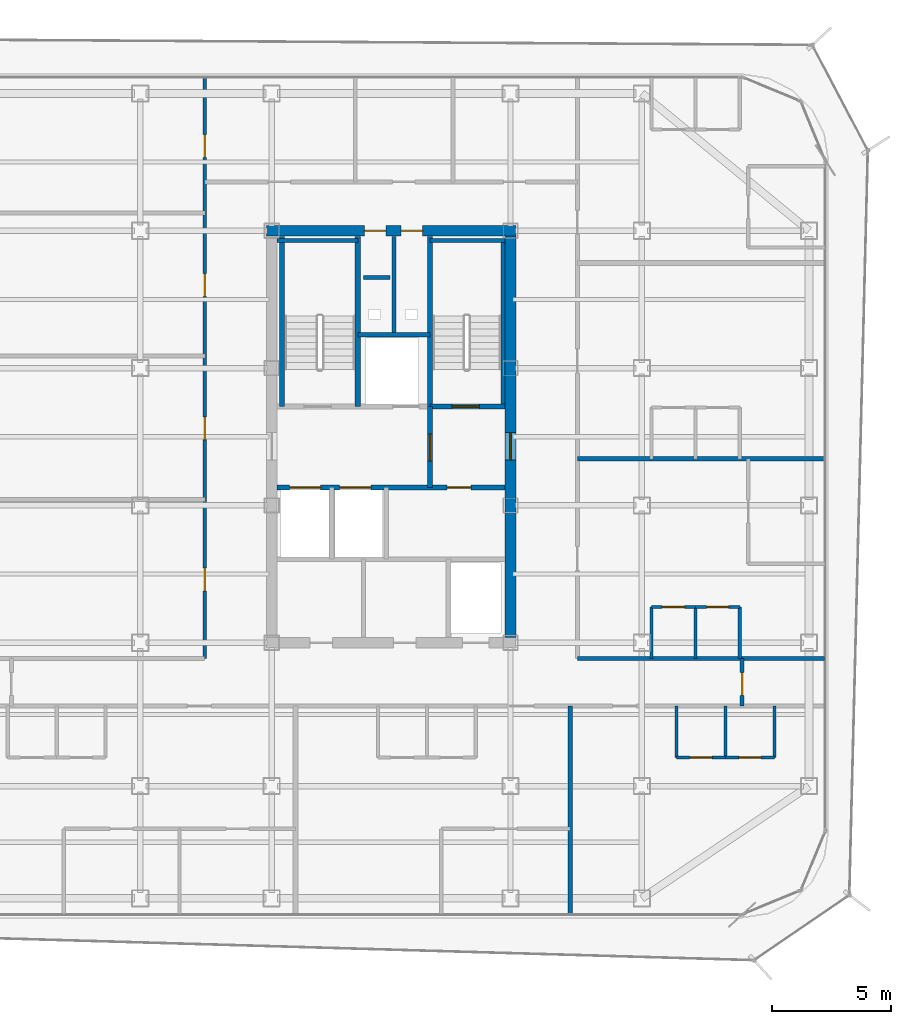
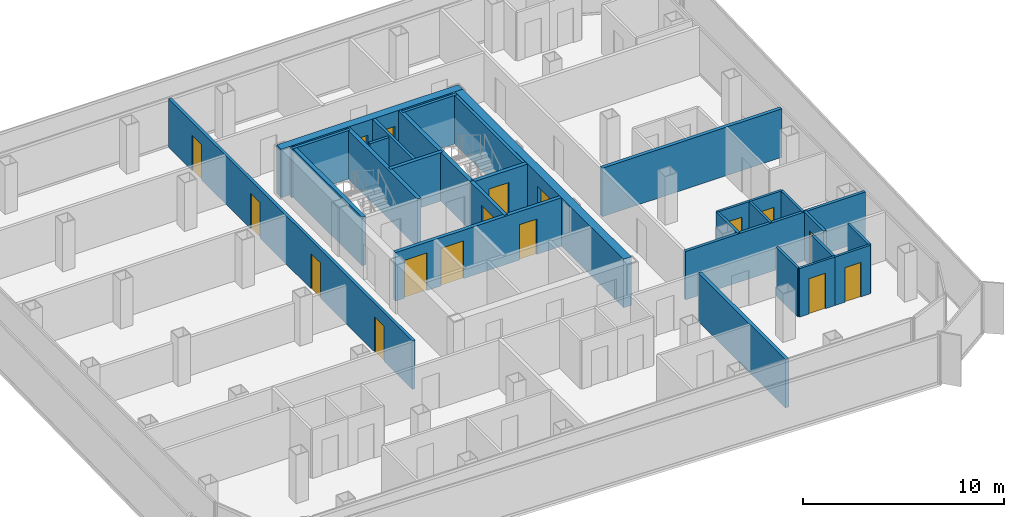
# One storey, part 11 of 15: 30 walls, 17 doors, 17 openings.
"""IFC4 building model written with IfcOpenShell, lengths in metres."""

from ifc_helpers import new_model, si_unit, direction, frame, frame_2d, origin, place, context, subcontext, project, spatial, rectangle, extrude, material, layer, layer_set, type_object, element, fill, save


model = new_model("IFC4")

# Units and contexts
model_context = context("Model", 3, precision=1e-05, world=origin(), true_north=direction((0.0, 1.0)))
body_context = subcontext(model_context, "Body", "Model", "MODEL_VIEW")
ifc_project = project(units=[si_unit("LENGTHUNIT", "METRE"), si_unit("AREAUNIT", "SQUARE_METRE"), si_unit("VOLUMEUNIT", "CUBIC_METRE"), si_unit("PLANEANGLEUNIT", "RADIAN"), si_unit("MASSUNIT", "GRAM", prefix="KILO")], contexts=[model_context])

# Site, building, storey
site_placement = place(None, origin())
site = spatial("IfcSite", under=ifc_project, at=site_placement, CompositionType="ELEMENT")
building_placement = place(site_placement, origin())
building = spatial("IfcBuilding", under=site, at=building_placement, Name="Kolveth Station Tower", CompositionType="ELEMENT")
storey_placement = place(building_placement, frame((0.0, 0.0, 202.800048828125)))
storey = spatial("IfcBuildingStorey", under=building, at=storey_placement, Name="L57", CompositionType="ELEMENT", Elevation=202.800048828125)

# Wall, openings, doors
ifc_material_1 = material(Name="Concrete C50/60", Category="concrete")
ifc_layer_1 = layer(ifc_material_1, 0.449951171875)
ifc_layer_set_1 = layer_set([ifc_layer_1], Name="Concrete C50/60")
wall_type_1 = type_object("IfcWallType", Name="Wall_CW-450", PredefinedType="SHEAR", material=ifc_layer_set_1)
wall_1_placement = place(storey_placement, frame((18.27490234375, 28.75, 0.0), z_axis=(0.0, 0.0, 1.0), x_axis=(1.0, 0.0, 0.0)))
wall_1 = element("IfcWall", 1, at=wall_1_placement, inside=storey, type_object=wall_type_1, Name="L57 Core RC Shear Wall N", PredefinedType="SHEAR", context=body_context, shape_type="SweptSolid", body=[
    extrude(rectangle(XDim=10.4501953125, YDim=0.449951171875, at=frame_2d((5.22509765625, 0.0))), origin(), (0.0, 0.0, 1.0), 2.949951171875),
])
opening_1_placement = place(wall_1_placement, frame((4.10498046875, 0.0, 0.0)))
opening_1 = element("IfcOpeningElement", 2, at=opening_1_placement, cuts=wall_1, Name="Opening RD1", PredefinedType="OPENING", context=body_context, shape_type="SweptSolid", body=[
    extrude(rectangle(XDim=0.89990234375, YDim=2.050048828125, at=frame_2d((0.449951171875, 1.02490234375))), frame((0.0, 0.23486328125, 0.0), z_axis=(0.0, -1.0, 0.0), x_axis=(1.0, 0.0, 0.0)), (0.0, 0.0, 1.0), 0.469970703125),
])
opening_2_placement = place(wall_1_placement, frame((5.64501953125, 0.0, 0.0)))
opening_2 = element("IfcOpeningElement", 3, at=opening_2_placement, cuts=wall_1, Name="Opening RD1", PredefinedType="OPENING", context=body_context, shape_type="SweptSolid", body=[
    extrude(rectangle(XDim=0.89990234375, YDim=2.050048828125, at=frame_2d((0.449951171875, 1.02490234375))), frame((0.0, 0.23486328125, 0.0), z_axis=(0.0, -1.0, 0.0), x_axis=(1.0, 0.0, 0.0)), (0.0, 0.0, 1.0), 0.469970703125),
])
ifc_material_2 = material(Name="Fire-rated Steel S355 riser access leaf", Category="steel")
door_type_1 = type_object("IfcDoorType", Name="Door_RD1", OperationType="NOTDEFINED", PredefinedType="DOOR", material=ifc_material_2)
door_1_placement = place(opening_1_placement, origin())
door_1 = element("IfcDoor", 4, at=door_1_placement, inside=storey, type_object=door_type_1, Name="L57 Electrical Riser Access Door", OperationType="SINGLE_SWING_RIGHT", OverallHeight=2.050048828125, OverallWidth=0.89990234375, PredefinedType="DOOR", context=body_context, shape_type="SweptSolid", body=[
    extrude(rectangle(XDim=0.89990234375, YDim=2.050048828125, at=frame_2d((0.449951171875, 1.02490234375))), frame((0.0, 0.02490234375, 0.0), z_axis=(0.0, -1.0, 0.0), x_axis=(1.0, 0.0, 0.0)), (0.0, 0.0, 1.0), 0.050048828125),
])
fill(opening_1, door_1)
door_2_placement = place(opening_2_placement, origin())
door_2 = element("IfcDoor", 5, at=door_2_placement, inside=storey, type_object=door_type_1, Name="L57 Smoke Duct Access Door", OperationType="SINGLE_SWING_LEFT", OverallHeight=2.050048828125, OverallWidth=0.89990234375, PredefinedType="DOOR", context=body_context, shape_type="SweptSolid", body=[
    extrude(rectangle(XDim=0.89990234375, YDim=2.050048828125, at=frame_2d((0.449951171875, 1.02490234375))), frame((0.0, 0.02490234375, 0.0), z_axis=(0.0, -1.0, 0.0), x_axis=(1.0, 0.0, 0.0)), (0.0, 0.0, 1.0), 0.050048828125),
])
fill(opening_2, door_2)

# Wall, opening, door
wall_2_placement = place(storey_placement, frame((28.5, 11.72509765625, 0.0), z_axis=(0.0, 0.0, 1.0), x_axis=(0.0, 1.0, 0.0)))
wall_2 = element("IfcWall", 6, at=wall_2_placement, inside=storey, type_object=wall_type_1, Name="L57 Core RC Shear Wall E", PredefinedType="SHEAR", context=body_context, shape_type="SweptSolid", body=[
    extrude(rectangle(XDim=16.7998046875, YDim=0.449951171875, at=frame_2d((8.39990234375, 0.0))), origin(), (0.0, 0.0, 1.0), 2.949951171875),
])
opening_3_placement = place(wall_2_placement, frame((7.425048828125, 0.0, 0.0)))
opening_3 = element("IfcOpeningElement", 7, at=opening_3_placement, cuts=wall_2, Name="Opening FD1", PredefinedType="OPENING", context=body_context, shape_type="SweptSolid", body=[
    extrude(rectangle(XDim=1.14990234375, YDim=2.199951171875, at=frame_2d((0.574951171875, 1.10009765625))), frame((0.0, 0.23486328125, 0.0), z_axis=(0.0, -1.0, 0.0), x_axis=(1.0, 0.0, 0.0)), (0.0, 0.0, 1.0), 0.469970703125),
])
ifc_material_3 = material(Name="Fire-rated Steel S355 leaf and frame", Category="steel")
door_type_2 = type_object("IfcDoorType", Name="Door_FD1", OperationType="NOTDEFINED", PredefinedType="DOOR", material=ifc_material_3)
door_3_placement = place(opening_3_placement, origin())
door_3 = element("IfcDoor", 8, at=door_3_placement, inside=storey, type_object=door_type_2, Name="L57 East Corridor to Stair Lobby Door", OperationType="SINGLE_SWING_LEFT", OverallHeight=2.199951171875, OverallWidth=1.14990234375, PredefinedType="DOOR", context=body_context, shape_type="SweptSolid", body=[
    extrude(rectangle(XDim=1.14990234375, YDim=2.199951171875, at=frame_2d((0.574951171875, 1.10009765625))), frame((0.0, 0.02490234375, 0.0), z_axis=(0.0, -1.0, 0.0), x_axis=(1.0, 0.0, 0.0)), (0.0, 0.0, 1.0), 0.050048828125),
])
fill(opening_3, door_3)

ifc_material_4 = material(Name="Moisture-resistant gypsum partition")
ifc_layer_2 = layer(ifc_material_4, 0.135009765625)
ifc_layer_set_2 = layer_set([ifc_layer_2], Name="Moisture-resistant gypsum partition")
wall_type_2 = type_object("IfcWallType", Name="Wall_IW-135", PredefinedType="PARTITIONING", material=ifc_layer_set_2)
wall_3_placement = place(storey_placement, frame((35.449951171875, 6.699951171875, 0.0), z_axis=(0.0, 0.0, 1.0), x_axis=(1.0, 0.0, 0.0)))
wall_3 = element("IfcWall", 9, at=wall_3_placement, inside=storey, type_object=wall_type_2, Name="L57 Partition Wall WL-L57-A3-IBHK", PredefinedType="PARTITIONING", context=body_context, shape_type="SweptSolid", body=[
    extrude(rectangle(XDim=2.050048828125, YDim=0.135009765625, at=frame_2d((1.02490234375, 0.0))), origin(), (0.0, 0.0, 1.0), 2.949951171875),
])
opening_4_placement = place(wall_3_placement, frame((0.544921875, 0.0, 0.0)))
opening_4 = element("IfcOpeningElement", 10, at=opening_4_placement, cuts=wall_3, Name="Opening ID1", PredefinedType="OPENING", context=body_context, shape_type="SweptSolid", body=[
    extrude(rectangle(XDim=0.949951171875, YDim=2.14990234375, at=frame_2d((0.47509765625, 1.074951171875))), frame((0.0, 0.077392578125, 0.0), z_axis=(0.0, -1.0, 0.0), x_axis=(1.0, 0.0, 0.0)), (0.0, 0.0, 1.0), 0.155029296875),
])
ifc_material_5 = material(Name="Acoustic hardwood leaf and aluminium frame", Category="wood")
door_type_3 = type_object("IfcDoorType", Name="Door_ID1", OperationType="NOTDEFINED", PredefinedType="DOOR", material=ifc_material_5)
door_4_placement = place(opening_4_placement, origin())
door_4 = element("IfcDoor", 11, at=door_4_placement, inside=storey, type_object=door_type_3, Name="Flat L57-A3 Kitchen Door", OperationType="SINGLE_SWING_LEFT", OverallHeight=2.14990234375, OverallWidth=0.949951171875, PredefinedType="DOOR", context=body_context, shape_type="SweptSolid", body=[
    extrude(rectangle(XDim=0.949951171875, YDim=2.14990234375, at=frame_2d((0.47509765625, 1.074951171875))), frame((0.0, 0.02490234375, 0.0), z_axis=(0.0, -1.0, 0.0), x_axis=(1.0, 0.0, 0.0)), (0.0, 0.0, 1.0), 0.050048828125),
])
fill(opening_4, door_4)

wall_4_placement = place(storey_placement, frame((37.5, 6.699951171875, 0.0), z_axis=(0.0, 0.0, 1.0), x_axis=(1.0, 0.0, 0.0)))
wall_4 = element("IfcWall", 12, at=wall_4_placement, inside=storey, type_object=wall_type_2, Name="L57 Partition Wall WL-L57-A3-IBHB", PredefinedType="PARTITIONING", context=body_context, shape_type="SweptSolid", body=[
    extrude(rectangle(XDim=2.050048828125, YDim=0.135009765625, at=frame_2d((1.02490234375, 0.0))), origin(), (0.0, 0.0, 1.0), 2.949951171875),
])
opening_5_placement = place(wall_4_placement, frame((0.56494140625, 0.0, 0.0)))
opening_5 = element("IfcOpeningElement", 13, at=opening_5_placement, cuts=wall_4, Name="Opening ID2", PredefinedType="OPENING", context=body_context, shape_type="SweptSolid", body=[
    extrude(rectangle(XDim=0.919921875, YDim=2.10009765625, at=frame_2d((0.4599609375, 1.050048828125))), frame((0.0, 0.077392578125, 0.0), z_axis=(0.0, -1.0, 0.0), x_axis=(1.0, 0.0, 0.0)), (0.0, 0.0, 1.0), 0.155029296875),
])
ifc_material_6 = material(Name="Moisture-resistant hardwood leaf", Category="wood")
door_type_4 = type_object("IfcDoorType", Name="Door_ID2", OperationType="NOTDEFINED", PredefinedType="DOOR", material=ifc_material_6)
door_5_placement = place(opening_5_placement, origin())
door_5 = element("IfcDoor", 14, at=door_5_placement, inside=storey, type_object=door_type_4, Name="Flat L57-A3 Bathroom Door", OperationType="SINGLE_SWING_RIGHT", OverallHeight=2.10009765625, OverallWidth=0.919921875, PredefinedType="DOOR", context=body_context, shape_type="SweptSolid", body=[
    extrude(rectangle(XDim=0.919921875, YDim=2.10009765625, at=frame_2d((0.4599609375, 1.050048828125))), frame((0.0, 0.02490234375, 0.0), z_axis=(0.0, -1.0, 0.0), x_axis=(1.0, 0.0, 0.0)), (0.0, 0.0, 1.0), 0.050048828125),
])
fill(opening_5, door_5)

# Walls
for number, where, z_axis, x_axis, name in (
    (15, (35.449951171875, 6.699951171875, 0.0), (0.0, 0.0, 1.0), (0.0, 1.0, 0.0), "L57 Partition Wall WL-L57-A3-IBV0"),
    (16, (37.5, 6.699951171875, 0.0), (0.0, 0.0, 1.0), (0.0, 1.0, 0.0), "L57 Partition Wall WL-L57-A3-IBV1"),
    (17, (39.550048828125, 6.699951171875, 0.0), (0.0, 0.0, 1.0), (0.0, 1.0, 0.0), "L57 Partition Wall WL-L57-A3-IBV2"),
):
    element("IfcWall", number, at=place(storey_placement, frame(where, z_axis=z_axis, x_axis=x_axis)), inside=storey, type_object=wall_type_2, Name=name, PredefinedType="PARTITIONING", context=body_context, shape_type="SweptSolid", body=[
        extrude(rectangle(XDim=2.150146484375, YDim=0.135009765625, at=frame_2d((1.0751953125, 0.0))), origin(), (0.0, 0.0, 1.0), 2.949951171875),
    ])

# Wall, opening, door
wall_5_placement = place(storey_placement, frame((34.39990234375, 13.0, 0.0), z_axis=(0.0, 0.0, 1.0), x_axis=(1.0, 0.0, 0.0)))
wall_5 = element("IfcWall", 18, at=wall_5_placement, inside=storey, type_object=wall_type_2, Name="L57 Partition Wall WL-L57-E1-IBHK", PredefinedType="PARTITIONING", context=body_context, shape_type="SweptSolid", body=[
    extrude(rectangle(XDim=1.85009765625, YDim=0.135009765625, at=frame_2d((0.925048828125, 0.0))), origin(), (0.0, 0.0, 1.0), 2.949951171875),
])
opening_6_placement = place(wall_5_placement, frame((0.445068359375, 0.0, 0.0)))
opening_6 = element("IfcOpeningElement", 19, at=opening_6_placement, cuts=wall_5, Name="Opening ID1", PredefinedType="OPENING", context=body_context, shape_type="SweptSolid", body=[
    extrude(rectangle(XDim=0.949951171875, YDim=2.14990234375, at=frame_2d((0.47509765625, 1.074951171875))), frame((0.0, 0.077392578125, 0.0), z_axis=(0.0, -1.0, 0.0), x_axis=(1.0, 0.0, 0.0)), (0.0, 0.0, 1.0), 0.155029296875),
])
door_6_placement = place(opening_6_placement, origin())
door_6 = element("IfcDoor", 20, at=door_6_placement, inside=storey, type_object=door_type_3, Name="Flat L57-E1 Kitchen Door", OperationType="SINGLE_SWING_LEFT", OverallHeight=2.14990234375, OverallWidth=0.949951171875, PredefinedType="DOOR", context=body_context, shape_type="SweptSolid", body=[
    extrude(rectangle(XDim=0.949951171875, YDim=2.14990234375, at=frame_2d((0.47509765625, 1.074951171875))), frame((0.0, 0.02490234375, 0.0), z_axis=(0.0, -1.0, 0.0), x_axis=(1.0, 0.0, 0.0)), (0.0, 0.0, 1.0), 0.050048828125),
])
fill(opening_6, door_6)

wall_6_placement = place(storey_placement, frame((36.25, 13.0, 0.0), z_axis=(0.0, 0.0, 1.0), x_axis=(1.0, 0.0, 0.0)))
wall_6 = element("IfcWall", 21, at=wall_6_placement, inside=storey, type_object=wall_type_2, Name="L57 Partition Wall WL-L57-E1-IBHB", PredefinedType="PARTITIONING", context=body_context, shape_type="SweptSolid", body=[
    extrude(rectangle(XDim=1.85009765625, YDim=0.135009765625, at=frame_2d((0.925048828125, 0.0))), origin(), (0.0, 0.0, 1.0), 2.949951171875),
])
opening_7_placement = place(wall_6_placement, frame((0.465087890625, 0.0, 0.0)))
opening_7 = element("IfcOpeningElement", 22, at=opening_7_placement, cuts=wall_6, Name="Opening ID2", PredefinedType="OPENING", context=body_context, shape_type="SweptSolid", body=[
    extrude(rectangle(XDim=0.919921875, YDim=2.10009765625, at=frame_2d((0.4599609375, 1.050048828125))), frame((0.0, 0.077392578125, 0.0), z_axis=(0.0, -1.0, 0.0), x_axis=(1.0, 0.0, 0.0)), (0.0, 0.0, 1.0), 0.155029296875),
])
door_7_placement = place(opening_7_placement, origin())
door_7 = element("IfcDoor", 23, at=door_7_placement, inside=storey, type_object=door_type_4, Name="Flat L57-E1 Bathroom Door", OperationType="SINGLE_SWING_LEFT", OverallHeight=2.10009765625, OverallWidth=0.919921875, PredefinedType="DOOR", context=body_context, shape_type="SweptSolid", body=[
    extrude(rectangle(XDim=0.919921875, YDim=2.10009765625, at=frame_2d((0.4599609375, 1.050048828125))), frame((0.0, 0.02490234375, 0.0), z_axis=(0.0, -1.0, 0.0), x_axis=(1.0, 0.0, 0.0)), (0.0, 0.0, 1.0), 0.050048828125),
])
fill(opening_7, door_7)

# Walls
for number, where, z_axis, x_axis, name in (
    (24, (34.39990234375, 10.85009765625, 0.0), (0.0, 0.0, 1.0), (0.0, 1.0, 0.0), "L57 Partition Wall WL-L57-E1-IBV0"),
    (25, (36.25, 10.85009765625, 0.0), (0.0, 0.0, 1.0), (0.0, 1.0, 0.0), "L57 Partition Wall WL-L57-E1-IBV1"),
    (26, (38.10009765625, 10.85009765625, 0.0), (0.0, 0.0, 1.0), (0.0, 1.0, 0.0), "L57 Partition Wall WL-L57-E1-IBV2"),
):
    element("IfcWall", number, at=place(storey_placement, frame(where, z_axis=z_axis, x_axis=x_axis)), inside=storey, type_object=wall_type_2, Name=name, PredefinedType="PARTITIONING", context=body_context, shape_type="SweptSolid", body=[
        extrude(rectangle(XDim=2.14990234375, YDim=0.135009765625, at=frame_2d((1.074951171875, 0.0))), origin(), (0.0, 0.0, 1.0), 2.949951171875),
    ])
ifc_material_7 = material(Name="Acoustic double-stud gypsum partition")
ifc_layer_3 = layer(ifc_material_7, 0.1650390625)
ifc_layer_set_3 = layer_set([ifc_layer_3], Name="Acoustic double-stud gypsum partition")
wall_type_3 = type_object("IfcWallType", Name="Wall_IW-165", PredefinedType="PARTITIONING", material=ifc_layer_set_3)
wall_7_placement = place(storey_placement, frame((18.735107421875, 28.3349609375, 0.0), z_axis=(0.0, 0.0, 1.0), x_axis=(1.0, 0.0, 0.0)))
element("IfcWall", 27, at=wall_7_placement, inside=storey, type_object=wall_type_3, Name="L57 Stair Shaft Wall WL-L57-ST1-N", PredefinedType="PARTITIONING", context=body_context, shape_type="SweptSolid", body=[
    extrude(rectangle(XDim=3.375, YDim=0.1650390625, at=frame_2d((1.6875, 0.0))), origin(), (0.0, 0.0, 1.0), 2.949951171875),
])
wall_8_placement = place(storey_placement, frame((25.1298828125, 28.3349609375, 0.0), z_axis=(0.0, 0.0, 1.0), x_axis=(1.0, 0.0, 0.0)))
element("IfcWall", 28, at=wall_8_placement, inside=storey, type_object=wall_type_3, Name="L57 Stair Shaft Wall WL-L57-ST2-N", PredefinedType="PARTITIONING", context=body_context, shape_type="SweptSolid", body=[
    extrude(rectangle(XDim=3.135009765625, YDim=0.1650390625, at=frame_2d((1.5673828125, 0.0))), origin(), (0.0, 0.0, 1.0), 2.949951171875),
])
wall_9_placement = place(storey_placement, frame((28.1826171875, 21.389892578125, 0.0), z_axis=(0.0, 0.0, 1.0), x_axis=(0.0, 1.0, 0.0)))
element("IfcWall", 29, at=wall_9_placement, inside=storey, type_object=wall_type_3, Name="L57 Stair Shaft Wall WL-L57-ST2-E", PredefinedType="PARTITIONING", context=body_context, shape_type="SweptSolid", body=[
    extrude(rectangle(XDim=6.945068359375, YDim=0.1650390625, at=frame_2d((3.47265625, 0.0))), origin(), (0.0, 0.0, 1.0), 2.949951171875),
])
wall_10_placement = place(storey_placement, frame((23.6201171875, 24.39990234375, 0.0), z_axis=(0.0, 0.0, 1.0), x_axis=(0.0, 1.0, 0.0)))
element("IfcWall", 30, at=wall_10_placement, inside=storey, type_object=wall_type_3, Name="L57 Partition Wall WL-L57-RSR-M", PredefinedType="PARTITIONING", context=body_context, shape_type="SweptSolid", body=[
    extrude(rectangle(XDim=4.114990234375, YDim=0.1650390625, at=frame_2d((2.0576171875, 0.0))), origin(), (0.0, 0.0, 1.0), 2.949951171875),
])
wall_11_placement = place(storey_placement, frame((31.300048828125, 10.85009765625, 0.0), z_axis=(0.0, 0.0, 1.0), x_axis=(1.0, 0.0, 0.0)))
element("IfcWall", 31, at=wall_11_placement, inside=storey, type_object=wall_type_3, Name="L57 Partition Wall WL-L57-RSET", PredefinedType="PARTITIONING", context=body_context, shape_type="SweptSolid", body=[
    extrude(rectangle(XDim=6.89990234375, YDim=0.1650390625, at=frame_2d((3.449951171875, 0.0))), origin(), (0.0, 0.0, 1.0), 2.949951171875),
])

# Wall, opening, door
wall_12_placement = place(storey_placement, frame((38.199951171875, 8.85009765625, 0.0), z_axis=(0.0, 0.0, 1.0), x_axis=(0.0, 1.0, 0.0)))
wall_12 = element("IfcWall", 32, at=wall_12_placement, inside=storey, type_object=wall_type_3, Name="L57 Partition Wall WL-L57-RSEE", PredefinedType="PARTITIONING", context=body_context, shape_type="SweptSolid", body=[
    extrude(rectangle(XDim=2.0, YDim=0.1650390625, at=frame_2d((1.0, 0.0))), origin(), (0.0, 0.0, 1.0), 2.949951171875),
])
opening_8_placement = place(wall_12_placement, frame((0.449951171875, 0.0, 0.0)))
opening_8 = element("IfcOpeningElement", 33, at=opening_8_placement, cuts=wall_12, Name="Opening ID1", PredefinedType="OPENING", context=body_context, shape_type="SweptSolid", body=[
    extrude(rectangle(XDim=0.949951171875, YDim=2.14990234375, at=frame_2d((0.47509765625, 1.074951171875))), frame((0.0, 0.092529296875, 0.0), z_axis=(0.0, -1.0, 0.0), x_axis=(1.0, 0.0, 0.0)), (0.0, 0.0, 1.0), 0.18505859375),
])
door_8_placement = place(opening_8_placement, origin())
door_8 = element("IfcDoor", 34, at=door_8_placement, inside=storey, type_object=door_type_3, Name="L57 Hobby Study Door", OperationType="SINGLE_SWING_LEFT", OverallHeight=2.14990234375, OverallWidth=0.949951171875, PredefinedType="DOOR", context=body_context, shape_type="SweptSolid", body=[
    extrude(rectangle(XDim=0.949951171875, YDim=2.14990234375, at=frame_2d((0.47509765625, 1.074951171875))), frame((0.0, 0.02490234375, 0.0), z_axis=(0.0, -1.0, 0.0), x_axis=(1.0, 0.0, 0.0)), (0.0, 0.0, 1.0), 0.050048828125),
])
fill(opening_8, door_8)

# Wall, openings, doors
wall_13_placement = place(storey_placement, frame((15.699951171875, 10.85009765625, 0.0), z_axis=(0.0, 0.0, 1.0), x_axis=(0.0, 1.0, 0.0)))
wall_13 = element("IfcWall", 35, at=wall_13_placement, inside=storey, type_object=wall_type_3, Name="L57 Partition Wall WL-L57-RW", PredefinedType="PARTITIONING", context=body_context, shape_type="SweptSolid", body=[
    extrude(rectangle(XDim=24.289794921875, YDim=0.1650390625, at=frame_2d((12.14501953125, 0.0))), origin(), (0.0, 0.0, 1.0), 2.949951171875),
])
opening_9_placement = place(wall_13_placement, frame((2.824951171875, 0.0, 0.0)))
opening_9 = element("IfcOpeningElement", 36, at=opening_9_placement, cuts=wall_13, Name="Opening ID1", PredefinedType="OPENING", context=body_context, shape_type="SweptSolid", body=[
    extrude(rectangle(XDim=0.949951171875, YDim=2.14990234375, at=frame_2d((0.47509765625, 1.074951171875))), frame((0.0, 0.092529296875, 0.0), z_axis=(0.0, -1.0, 0.0), x_axis=(1.0, 0.0, 0.0)), (0.0, 0.0, 1.0), 0.18505859375),
])
opening_10_placement = place(wall_13_placement, frame((9.14990234375, 0.0, 0.0)))
opening_10 = element("IfcOpeningElement", 37, at=opening_10_placement, cuts=wall_13, Name="Opening ID1", PredefinedType="OPENING", context=body_context, shape_type="SweptSolid", body=[
    extrude(rectangle(XDim=0.949951171875, YDim=2.14990234375, at=frame_2d((0.47509765625, 1.074951171875))), frame((0.0, 0.092529296875, 0.0), z_axis=(0.0, -1.0, 0.0), x_axis=(1.0, 0.0, 0.0)), (0.0, 0.0, 1.0), 0.18505859375),
])
opening_11_placement = place(wall_13_placement, frame((15.14990234375, 0.0, 0.0)))
opening_11 = element("IfcOpeningElement", 38, at=opening_11_placement, cuts=wall_13, Name="Opening ID1", PredefinedType="OPENING", context=body_context, shape_type="SweptSolid", body=[
    extrude(rectangle(XDim=0.949951171875, YDim=2.14990234375, at=frame_2d((0.47509765625, 1.074951171875))), frame((0.0, 0.092529296875, 0.0), z_axis=(0.0, -1.0, 0.0), x_axis=(1.0, 0.0, 0.0)), (0.0, 0.0, 1.0), 0.18505859375),
])
opening_12_placement = place(wall_13_placement, frame((20.969970703125, 0.0, 0.0)))
opening_12 = element("IfcOpeningElement", 39, at=opening_12_placement, cuts=wall_13, Name="Opening ID1", PredefinedType="OPENING", context=body_context, shape_type="SweptSolid", body=[
    extrude(rectangle(XDim=0.949951171875, YDim=2.14990234375, at=frame_2d((0.47509765625, 1.074951171875))), frame((0.0, 0.092529296875, 0.0), z_axis=(0.0, -1.0, 0.0), x_axis=(1.0, 0.0, 0.0)), (0.0, 0.0, 1.0), 0.18505859375),
])
door_9_placement = place(opening_9_placement, frame((0.949951171875, 0.0, 0.0), z_axis=(0.0, 0.0, 1.0), x_axis=(-1.0, 0.0, 0.0)))
door_9 = element("IfcDoor", 40, at=door_9_placement, inside=storey, type_object=door_type_3, Name="L57 Live-Work Office W1 Door", OperationType="SINGLE_SWING_RIGHT", OverallHeight=2.14990234375, OverallWidth=0.949951171875, PredefinedType="DOOR", context=body_context, shape_type="SweptSolid", body=[
    extrude(rectangle(XDim=0.949951171875, YDim=2.14990234375, at=frame_2d((0.47509765625, 1.074951171875))), frame((0.0, 0.02490234375, 0.0), z_axis=(0.0, -1.0, 0.0), x_axis=(1.0, 0.0, 0.0)), (0.0, 0.0, 1.0), 0.050048828125),
])
fill(opening_9, door_9)
door_10_placement = place(opening_10_placement, frame((0.949951171875, 0.0, 0.0), z_axis=(0.0, 0.0, 1.0), x_axis=(-1.0, 0.0, 0.0)))
door_10 = element("IfcDoor", 41, at=door_10_placement, inside=storey, type_object=door_type_3, Name="L57 Live-Work Office W2 Door", OperationType="SINGLE_SWING_LEFT", OverallHeight=2.14990234375, OverallWidth=0.949951171875, PredefinedType="DOOR", context=body_context, shape_type="SweptSolid", body=[
    extrude(rectangle(XDim=0.949951171875, YDim=2.14990234375, at=frame_2d((0.47509765625, 1.074951171875))), frame((0.0, 0.02490234375, 0.0), z_axis=(0.0, -1.0, 0.0), x_axis=(1.0, 0.0, 0.0)), (0.0, 0.0, 1.0), 0.050048828125),
])
fill(opening_10, door_10)
door_11_placement = place(opening_11_placement, frame((0.949951171875, 0.0, 0.0), z_axis=(0.0, 0.0, 1.0), x_axis=(-1.0, 0.0, 0.0)))
door_11 = element("IfcDoor", 42, at=door_11_placement, inside=storey, type_object=door_type_3, Name="L57 Live-Work Meeting Room Door", OperationType="SINGLE_SWING_RIGHT", OverallHeight=2.14990234375, OverallWidth=0.949951171875, PredefinedType="DOOR", context=body_context, shape_type="SweptSolid", body=[
    extrude(rectangle(XDim=0.949951171875, YDim=2.14990234375, at=frame_2d((0.47509765625, 1.074951171875))), frame((0.0, 0.02490234375, 0.0), z_axis=(0.0, -1.0, 0.0), x_axis=(1.0, 0.0, 0.0)), (0.0, 0.0, 1.0), 0.050048828125),
])
fill(opening_11, door_11)
door_12_placement = place(opening_12_placement, frame((0.949951171875, 0.0, 0.0), z_axis=(0.0, 0.0, 1.0), x_axis=(-1.0, 0.0, 0.0)))
door_12 = element("IfcDoor", 43, at=door_12_placement, inside=storey, type_object=door_type_3, Name="L57 Quiet Study Room Door", OperationType="SINGLE_SWING_LEFT", OverallHeight=2.14990234375, OverallWidth=0.949951171875, PredefinedType="DOOR", context=body_context, shape_type="SweptSolid", body=[
    extrude(rectangle(XDim=0.949951171875, YDim=2.14990234375, at=frame_2d((0.47509765625, 1.074951171875))), frame((0.0, 0.02490234375, 0.0), z_axis=(0.0, -1.0, 0.0), x_axis=(1.0, 0.0, 0.0)), (0.0, 0.0, 1.0), 0.050048828125),
])
fill(opening_12, door_12)

# Walls
wall_14_placement = place(storey_placement, frame((38.199951171875, 10.85009765625, 0.0), z_axis=(0.0, 0.0, 1.0), x_axis=(1.0, 0.0, 0.0)))
element("IfcWall", 44, at=wall_14_placement, inside=storey, type_object=wall_type_3, Name="L57 Partition Wall WL-L57-ESTN", PredefinedType="PARTITIONING", context=body_context, shape_type="SweptSolid", body=[
    extrude(rectangle(XDim=3.43994140625, YDim=0.1650390625, at=frame_2d((1.719970703125, 0.0))), origin(), (0.0, 0.0, 1.0), 2.949951171875),
])
wall_15_placement = place(storey_placement, frame((22.35009765625, 26.800048828125, 0.0), z_axis=(0.0, 0.0, 1.0), x_axis=(1.0, 0.0, 0.0)))
element("IfcWall", 45, at=wall_15_placement, inside=storey, type_object=wall_type_3, Name="L57 Acoustic Riser Dry-Lining Wall", PredefinedType="PARTITIONING", context=body_context, shape_type="SweptSolid", body=[
    extrude(rectangle(XDim=1.099853515625, YDim=0.1650390625, at=frame_2d((0.5498046875, 0.0))), origin(), (0.0, 0.0, 1.0), 2.949951171875),
])
ifc_material_8 = material(Name="Acoustic fire-rated gypsum blockwork", Category="masonry")
ifc_layer_4 = layer(ifc_material_8, 0.199951171875)
ifc_layer_set_4 = layer_set([ifc_layer_4], Name="Acoustic fire-rated gypsum blockwork")
wall_type_4 = type_object("IfcWallType", Name="Wall_IW-200", PredefinedType="PARTITIONING", material=ifc_layer_set_4)
wall_16_placement = place(storey_placement, frame((22.110107421875, 24.39990234375, 0.0), z_axis=(0.0, 0.0, 1.0), x_axis=(1.0, 0.0, 0.0)))
element("IfcWall", 46, at=wall_16_placement, inside=storey, type_object=wall_type_4, Name="L57 Partition Wall WL-L57-RSR-S", PredefinedType="PARTITIONING", context=body_context, shape_type="SweptSolid", body=[
    extrude(rectangle(XDim=3.019775390625, YDim=0.199951171875, at=frame_2d((1.509765625, 0.0))), origin(), (0.0, 0.0, 1.0), 2.949951171875),
])

# Wall, opening, door
wall_17_placement = place(storey_placement, frame((25.1298828125, 18.0, 0.0), z_axis=(0.0, 0.0, 1.0), x_axis=(0.0, 1.0, 0.0)))
wall_17 = element("IfcWall", 47, at=wall_17_placement, inside=storey, type_object=wall_type_4, Name="L57 Partition Wall WL-L57-FFL-E", PredefinedType="PARTITIONING", context=body_context, shape_type="SweptSolid", body=[
    extrude(rectangle(XDim=3.389892578125, YDim=0.199951171875, at=frame_2d((1.69482421875, 0.0))), origin(), (0.0, 0.0, 1.0), 2.949951171875),
])
opening_13_placement = place(wall_17_placement, frame((1.10009765625, 0.0, 0.0)))
opening_13 = element("IfcOpeningElement", 48, at=opening_13_placement, cuts=wall_17, Name="Opening FD1", PredefinedType="OPENING", context=body_context, shape_type="SweptSolid", body=[
    extrude(rectangle(XDim=1.14990234375, YDim=2.199951171875, at=frame_2d((0.574951171875, 1.10009765625))), frame((0.0, 0.10986328125, 0.0), z_axis=(0.0, -1.0, 0.0), x_axis=(1.0, 0.0, 0.0)), (0.0, 0.0, 1.0), 0.219970703125),
])
door_13_placement = place(opening_13_placement, origin())
door_13 = element("IfcDoor", 49, at=door_13_placement, inside=storey, type_object=door_type_2, Name="L57 Firefighting to Stair Lobby Door", OperationType="SINGLE_SWING_RIGHT", OverallHeight=2.199951171875, OverallWidth=1.14990234375, PredefinedType="DOOR", context=body_context, shape_type="SweptSolid", body=[
    extrude(rectangle(XDim=1.14990234375, YDim=2.199951171875, at=frame_2d((0.574951171875, 1.10009765625))), frame((0.0, 0.02490234375, 0.0), z_axis=(0.0, -1.0, 0.0), x_axis=(1.0, 0.0, 0.0)), (0.0, 0.0, 1.0), 0.050048828125),
])
fill(opening_13, door_13)

# Wall, openings, doors
wall_18_placement = place(storey_placement, frame((18.735107421875, 18.0, 0.0), z_axis=(0.0, 0.0, 1.0), x_axis=(1.0, 0.0, 0.0)))
wall_18 = element("IfcWall", 50, at=wall_18_placement, inside=storey, type_object=wall_type_4, Name="L57 Partition Wall WL-L57-FFL-S", PredefinedType="PARTITIONING", context=body_context, shape_type="SweptSolid", body=[
    extrude(rectangle(XDim=9.52978515625, YDim=0.199951171875, at=frame_2d((4.764892578125, 0.0))), origin(), (0.0, 0.0, 1.0), 2.949951171875),
])
opening_14_placement = place(wall_18_placement, frame((0.514892578125, 0.0, 0.0)))
opening_14 = element("IfcOpeningElement", 51, at=opening_14_placement, cuts=wall_18, Name="Opening LD2", PredefinedType="OPENING", context=body_context, shape_type="SweptSolid", body=[
    extrude(rectangle(XDim=1.300048828125, YDim=2.300048828125, at=frame_2d((0.64990234375, 1.14990234375))), frame((0.0, 0.10986328125, 0.0), z_axis=(0.0, -1.0, 0.0), x_axis=(1.0, 0.0, 0.0)), (0.0, 0.0, 1.0), 0.219970703125),
])
opening_15_placement = place(wall_18_placement, frame((2.614990234375, 0.0, 0.0)))
opening_15 = element("IfcOpeningElement", 52, at=opening_15_placement, cuts=wall_18, Name="Opening LD2", PredefinedType="OPENING", context=body_context, shape_type="SweptSolid", body=[
    extrude(rectangle(XDim=1.300048828125, YDim=2.300048828125, at=frame_2d((0.64990234375, 1.14990234375))), frame((0.0, 0.10986328125, 0.0), z_axis=(0.0, -1.0, 0.0), x_axis=(1.0, 0.0, 0.0)), (0.0, 0.0, 1.0), 0.219970703125),
])
opening_16_placement = place(wall_18_placement, frame((7.114990234375, 0.0, 0.0)))
opening_16 = element("IfcOpeningElement", 53, at=opening_16_placement, cuts=wall_18, Name="Opening FD3", PredefinedType="OPENING", context=body_context, shape_type="SweptSolid", body=[
    extrude(rectangle(XDim=1.0, YDim=2.14990234375, at=frame_2d((0.5, 1.074951171875))), frame((0.0, 0.10986328125, 0.0), z_axis=(0.0, -1.0, 0.0), x_axis=(1.0, 0.0, 0.0)), (0.0, 0.0, 1.0), 0.219970703125),
])
ifc_material_9 = material(Name="Fire-rated hardwood leaf and aluminium frame", Category="wood")
door_type_5 = type_object("IfcDoorType", Name="Door_FD3", OperationType="NOTDEFINED", PredefinedType="DOOR", material=ifc_material_9)
door_14_placement = place(opening_16_placement, frame((1.0, 0.0, 0.0), z_axis=(0.0, 0.0, 1.0), x_axis=(-1.0, 0.0, 0.0)))
door_14 = element("IfcDoor", 54, at=door_14_placement, inside=storey, type_object=door_type_5, Name="L57 Core Staff Pantry Door", OperationType="SINGLE_SWING_LEFT", OverallHeight=2.14990234375, OverallWidth=1.0, PredefinedType="DOOR", context=body_context, shape_type="SweptSolid", body=[
    extrude(rectangle(XDim=1.0, YDim=2.14990234375, at=frame_2d((0.5, 1.074951171875))), frame((0.0, 0.02490234375, 0.0), z_axis=(0.0, -1.0, 0.0), x_axis=(1.0, 0.0, 0.0)), (0.0, 0.0, 1.0), 0.050048828125),
])
fill(opening_16, door_14)
ifc_material_10 = material(Name="Firefighting stainless steel sliding landing doors", Category="steel")
door_type_6 = type_object("IfcDoorType", Name="Door_LD2", OperationType="NOTDEFINED", PredefinedType="DOOR", material=ifc_material_10)
door_15_placement = place(opening_14_placement, origin())
door_15 = element("IfcDoor", 55, at=door_15_placement, inside=storey, type_object=door_type_6, Name="L57 Firefighting Lift FF1 Landing Door", OperationType="DOUBLE_DOOR_SLIDING", OverallHeight=2.300048828125, OverallWidth=1.300048828125, PredefinedType="DOOR", context=body_context, shape_type="SweptSolid", body=[
    extrude(rectangle(XDim=1.300048828125, YDim=2.300048828125, at=frame_2d((0.64990234375, 1.14990234375))), frame((0.0, 0.02490234375, 0.0), z_axis=(0.0, -1.0, 0.0), x_axis=(1.0, 0.0, 0.0)), (0.0, 0.0, 1.0), 0.050048828125),
])
fill(opening_14, door_15)
door_16_placement = place(opening_15_placement, origin())
door_16 = element("IfcDoor", 56, at=door_16_placement, inside=storey, type_object=door_type_6, Name="L57 Firefighting Lift FF2 Landing Door", OperationType="DOUBLE_DOOR_SLIDING", OverallHeight=2.300048828125, OverallWidth=1.300048828125, PredefinedType="DOOR", context=body_context, shape_type="SweptSolid", body=[
    extrude(rectangle(XDim=1.300048828125, YDim=2.300048828125, at=frame_2d((0.64990234375, 1.14990234375))), frame((0.0, 0.02490234375, 0.0), z_axis=(0.0, -1.0, 0.0), x_axis=(1.0, 0.0, 0.0)), (0.0, 0.0, 1.0), 0.050048828125),
])
fill(opening_15, door_16)

# Walls
wall_19_placement = place(storey_placement, frame((31.0, 0.159912109375, 0.0), z_axis=(0.0, 0.0, 1.0), x_axis=(0.0, 1.0, 0.0)))
element("IfcWall", 57, at=wall_19_placement, inside=storey, type_object=wall_type_4, Name="L57 Partition Wall WL-L57-RSU-2", PredefinedType="PARTITIONING", context=body_context, shape_type="SweptSolid", body=[
    extrude(rectangle(XDim=8.690185546875, YDim=0.199951171875, at=frame_2d((4.34521484375, 0.0))), origin(), (0.0, 0.0, 1.0), 2.949951171875),
])
wall_20_placement = place(storey_placement, frame((31.300048828125, 19.199951171875, 0.0), z_axis=(0.0, 0.0, 1.0), x_axis=(1.0, 0.0, 0.0)))
element("IfcWall", 58, at=wall_20_placement, inside=storey, type_object=wall_type_4, Name="L57 Partition Wall WL-L57-REU-1", PredefinedType="PARTITIONING", context=body_context, shape_type="SweptSolid", body=[
    extrude(rectangle(XDim=10.33984375, YDim=0.199951171875, at=frame_2d((5.169921875, 0.0))), origin(), (0.0, 0.0, 1.0), 2.949951171875),
])
ifc_material_11 = material(Name="Concrete C40/50", Category="concrete")
ifc_layer_5 = layer(ifc_material_11, 0.219970703125)
ifc_layer_set_5 = layer_set([ifc_layer_5], Name="Concrete C40/50")
wall_type_5 = type_object("IfcWallType", Name="Wall_IW-220", PredefinedType="SOLIDWALL", material=ifc_layer_set_5)
for number, where, z_axis, x_axis, name in (
    (59, (18.929931640625, 21.389892578125, 0.0), (0.0, 0.0, 1.0), (0.0, 1.0, 0.0), "L57 Stair Shaft Wall WL-L57-ST1-W"),
    (60, (22.110107421875, 21.389892578125, 0.0), (0.0, 0.0, 1.0), (0.0, 1.0, 0.0), "L57 Stair Shaft Wall WL-L57-ST1-E"),
    (61, (25.1298828125, 21.389892578125, 0.0), (0.0, 0.0, 1.0), (0.0, 1.0, 0.0), "L57 Stair Shaft Wall WL-L57-ST2-W"),
):
    element("IfcWall", number, at=place(storey_placement, frame(where, z_axis=z_axis, x_axis=x_axis)), inside=storey, type_object=wall_type_5, Name=name, PredefinedType="SOLIDWALL", context=body_context, shape_type="SweptSolid", body=[
        extrude(rectangle(XDim=7.110107421875, YDim=0.219970703125, at=frame_2d((3.55517578125, 0.0))), origin(), (0.0, 0.0, 1.0), 2.949951171875),
    ])

# Wall, opening, door
wall_21_placement = place(storey_placement, frame((25.1298828125, 21.389892578125, 0.0), z_axis=(0.0, 0.0, 1.0), x_axis=(1.0, 0.0, 0.0)))
wall_21 = element("IfcWall", 62, at=wall_21_placement, inside=storey, type_object=wall_type_5, Name="L57 Stair Shaft Wall WL-L57-ST2-S", PredefinedType="SOLIDWALL", context=body_context, shape_type="SweptSolid", body=[
    extrude(rectangle(XDim=3.135009765625, YDim=0.219970703125, at=frame_2d((1.5673828125, 0.0))), origin(), (0.0, 0.0, 1.0), 2.949951171875),
])
opening_17_placement = place(wall_21_placement, frame((0.919921875, 0.0, 0.0)))
opening_17 = element("IfcOpeningElement", 63, at=opening_17_placement, cuts=wall_21, Name="Opening FD1", PredefinedType="OPENING", context=body_context, shape_type="SweptSolid", body=[
    extrude(rectangle(XDim=1.14990234375, YDim=2.199951171875, at=frame_2d((0.574951171875, 1.10009765625))), frame((0.0, 0.119873046875, 0.0), z_axis=(0.0, -1.0, 0.0), x_axis=(1.0, 0.0, 0.0)), (0.0, 0.0, 1.0), 0.239990234375),
])
door_17_placement = place(opening_17_placement, frame((1.14990234375, 0.0, 0.0), z_axis=(0.0, 0.0, 1.0), x_axis=(-1.0, 0.0, 0.0)))
door_17 = element("IfcDoor", 64, at=door_17_placement, inside=storey, type_object=door_type_2, Name="L57 Stair ST2 Fire Door", OperationType="SINGLE_SWING_LEFT", OverallHeight=2.199951171875, OverallWidth=1.14990234375, PredefinedType="DOOR", context=body_context, shape_type="SweptSolid", body=[
    extrude(rectangle(XDim=1.14990234375, YDim=2.199951171875, at=frame_2d((0.574951171875, 1.10009765625))), frame((0.0, 0.02490234375, 0.0), z_axis=(0.0, -1.0, 0.0), x_axis=(1.0, 0.0, 0.0)), (0.0, 0.0, 1.0), 0.050048828125),
])
fill(opening_17, door_17)

save(model, "model.ifc")
